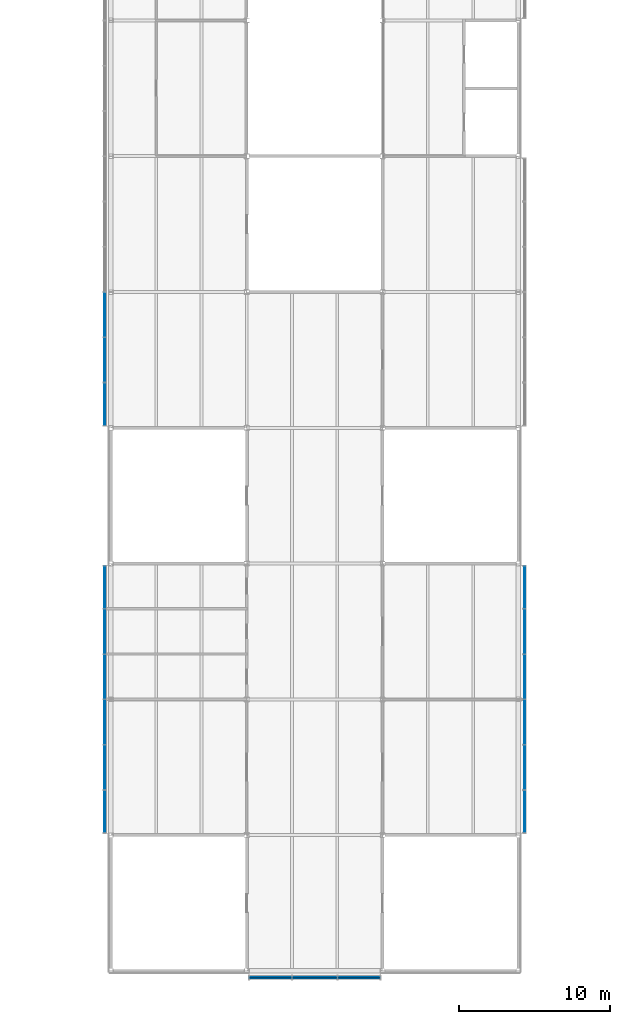
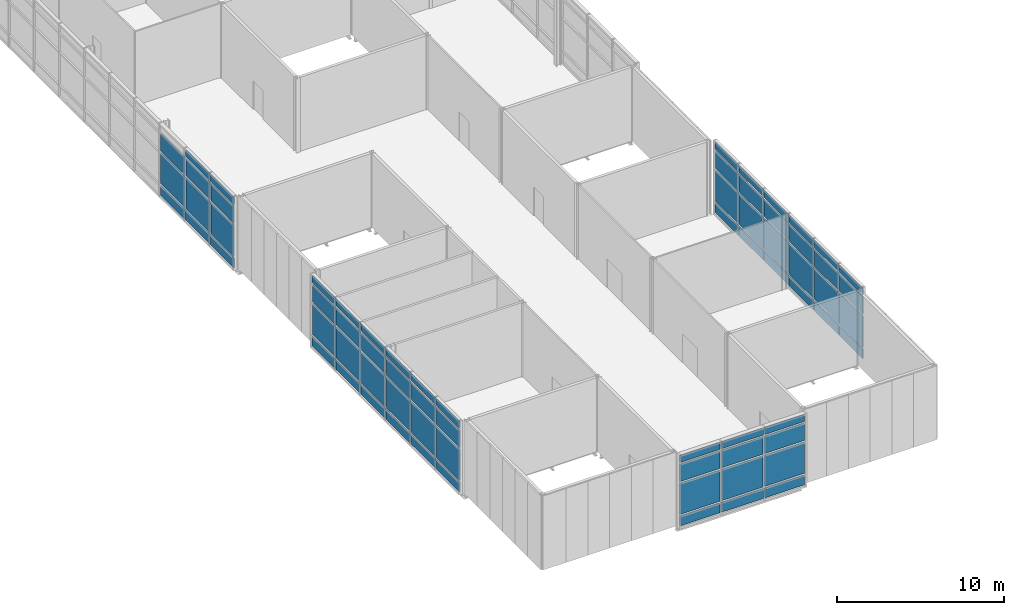
# One storey, part 29 of 46: 71 plates, 4 elements without a shape of their own.
"""IFC4 building model written with IfcOpenShell, lengths in metres."""

from ifc_helpers import new_model, si_unit, direction, frame, origin, origin_2d, place, context, subcontext, project, spatial, rectangle, extrude, material, layer, layer_set, type_object, element, aggregate, save


model = new_model("IFC4")

# Units and contexts
model_context = context("Model", 3, precision=1e-05, world=origin(), true_north=direction((0.0, 1.0)))
body_context = subcontext(model_context, "Body", "Model", "MODEL_VIEW")
ifc_project = project(units=[si_unit("LENGTHUNIT", "METRE"), si_unit("AREAUNIT", "SQUARE_METRE"), si_unit("VOLUMEUNIT", "CUBIC_METRE"), si_unit("PLANEANGLEUNIT", "RADIAN"), si_unit("MASSUNIT", "GRAM", prefix="KILO")], contexts=[model_context])

# Site, building, storey
site_placement = place(None, origin())
site = spatial("IfcSite", under=ifc_project, at=site_placement, CompositionType="ELEMENT")
building_placement = place(site_placement, origin())
building = spatial("IfcBuilding", under=site, at=building_placement, Name="Azimuth Sports and Learning Centre", CompositionType="ELEMENT")
storey_placement = place(building_placement, frame((0.0, 0.0, 21.60009765625)))
storey = spatial("IfcBuildingStorey", under=building, at=storey_placement, Name="L04", CompositionType="ELEMENT", Elevation=21.60009765625)

# Curtain wall, plates
ifc_material_1 = material(Name="Aluminium and glass", Category="aluminium")
curtain_wall_type_1 = type_object("IfcCurtainWallType", Name="Curtain wall podium stem 240", PredefinedType="NOTDEFINED", material=ifc_material_1)
curtain_wall_1_placement = place(storey_placement, origin())
curtain_wall_1 = element("IfcCurtainWall", 1, at=curtain_wall_1_placement, inside=storey, type_object=curtain_wall_type_1, Name="Curtain wall CW04-003", PredefinedType="NOTDEFINED")
ifc_material_2 = material(Name="Insulated aluminium panel", Category="aluminium")
ifc_layer_1 = layer(ifc_material_2, 0.06005859375)
ifc_layer_set_1 = layer_set([ifc_layer_1], Name="Insulated aluminium panel")
plate_type_1 = type_object("IfcPlateType", Name="Spandrel panel 60 mm", PredefinedType="CURTAIN_PANEL", material=ifc_layer_set_1)
plate_1_placement = place(storey_placement, frame((71.580078125, 43.5, 0.1201171875), z_axis=(0.0, 0.0, 1.0), x_axis=(0.0, -1.0, 0.0)))
plate_1 = element("IfcPlate", 2, at=plate_1_placement, type_object=plate_type_1, Name="CW04-003 panel 16.1", PredefinedType="CURTAIN_PANEL", context=body_context, shape_type="SweptSolid", body=[
    extrude(rectangle(XDim=2.919921875, YDim=0.06005859375, at=origin_2d()), origin(), (0.0, 0.0, 1.0), 0.719970703125),
])
plate_2_placement = place(storey_placement, frame((71.580078125, 40.5, 0.1201171875), z_axis=(0.0, 0.0, 1.0), x_axis=(0.0, -1.0, 0.0)))
plate_2 = element("IfcPlate", 3, at=plate_2_placement, type_object=plate_type_1, Name="CW04-003 panel 17.1", PredefinedType="CURTAIN_PANEL", context=body_context, shape_type="SweptSolid", body=[
    extrude(rectangle(XDim=2.919921875, YDim=0.06005859375, at=origin_2d()), origin(), (0.0, 0.0, 1.0), 0.719970703125),
])
plate_3_placement = place(storey_placement, frame((71.580078125, 40.5, 4.760009765625), z_axis=(0.0, 0.0, 1.0), x_axis=(0.0, -1.0, 0.0)))
plate_3 = element("IfcPlate", 4, at=plate_3_placement, type_object=plate_type_1, Name="CW04-003 panel 17.4", PredefinedType="CURTAIN_PANEL", context=body_context, shape_type="SweptSolid", body=[
    extrude(rectangle(XDim=2.919921875, YDim=0.06005859375, at=origin_2d()), origin(), (0.0, 0.0, 1.0), 0.52001953125),
])
plate_4_placement = place(storey_placement, frame((71.580078125, 37.570068359375, 0.1201171875), z_axis=(0.0, 0.0, 1.0), x_axis=(0.0, -1.0, 0.0)))
plate_4 = element("IfcPlate", 5, at=plate_4_placement, type_object=plate_type_1, Name="CW04-003 panel 18.1", PredefinedType="CURTAIN_PANEL", context=body_context, shape_type="SweptSolid", body=[
    extrude(rectangle(XDim=2.780029296875, YDim=0.06005859375, at=origin_2d()), origin(), (0.0, 0.0, 1.0), 0.719970703125),
])
plate_5_placement = place(storey_placement, frame((71.580078125, 37.570068359375, 4.760009765625), z_axis=(0.0, 0.0, 1.0), x_axis=(0.0, -1.0, 0.0)))
plate_5 = element("IfcPlate", 6, at=plate_5_placement, type_object=plate_type_1, Name="CW04-003 panel 18.4", PredefinedType="CURTAIN_PANEL", context=body_context, shape_type="SweptSolid", body=[
    extrude(rectangle(XDim=2.780029296875, YDim=0.06005859375, at=origin_2d()), origin(), (0.0, 0.0, 1.0), 0.52001953125),
])

curtain_wall_2_placement = place(storey_placement, origin())
curtain_wall_2 = element("IfcCurtainWall", 7, at=curtain_wall_2_placement, inside=storey, type_object=curtain_wall_type_1, Name="Curtain wall CW04-004", PredefinedType="NOTDEFINED")
plate_6_placement = place(storey_placement, frame((71.580078125, 25.429931640625, 0.1201171875), z_axis=(0.0, 0.0, 1.0), x_axis=(0.0, -1.0, 0.0)))
plate_6 = element("IfcPlate", 8, at=plate_6_placement, type_object=plate_type_1, Name="CW04-004 panel 1.1", PredefinedType="CURTAIN_PANEL", context=body_context, shape_type="SweptSolid", body=[
    extrude(rectangle(XDim=2.780029296875, YDim=0.06005859375, at=origin_2d()), origin(), (0.0, 0.0, 1.0), 0.719970703125),
])
plate_7_placement = place(storey_placement, frame((71.580078125, 25.429931640625, 4.760009765625), z_axis=(0.0, 0.0, 1.0), x_axis=(0.0, -1.0, 0.0)))
plate_7 = element("IfcPlate", 9, at=plate_7_placement, type_object=plate_type_1, Name="CW04-004 panel 1.4", PredefinedType="CURTAIN_PANEL", context=body_context, shape_type="SweptSolid", body=[
    extrude(rectangle(XDim=2.780029296875, YDim=0.06005859375, at=origin_2d()), origin(), (0.0, 0.0, 1.0), 0.52001953125),
])
plate_8_placement = place(storey_placement, frame((71.580078125, 22.5, 0.1201171875), z_axis=(0.0, 0.0, 1.0), x_axis=(0.0, -1.0, 0.0)))
plate_8 = element("IfcPlate", 10, at=plate_8_placement, type_object=plate_type_1, Name="CW04-004 panel 2.1", PredefinedType="CURTAIN_PANEL", context=body_context, shape_type="SweptSolid", body=[
    extrude(rectangle(XDim=2.919921875, YDim=0.06005859375, at=origin_2d()), origin(), (0.0, 0.0, 1.0), 0.719970703125),
])
plate_9_placement = place(storey_placement, frame((71.580078125, 22.5, 4.760009765625), z_axis=(0.0, 0.0, 1.0), x_axis=(0.0, -1.0, 0.0)))
plate_9 = element("IfcPlate", 11, at=plate_9_placement, type_object=plate_type_1, Name="CW04-004 panel 2.4", PredefinedType="CURTAIN_PANEL", context=body_context, shape_type="SweptSolid", body=[
    extrude(rectangle(XDim=2.919921875, YDim=0.06005859375, at=origin_2d()), origin(), (0.0, 0.0, 1.0), 0.52001953125),
])
plate_10_placement = place(storey_placement, frame((71.580078125, 19.5, 0.1201171875), z_axis=(0.0, 0.0, 1.0), x_axis=(0.0, -1.0, 0.0)))
plate_10 = element("IfcPlate", 12, at=plate_10_placement, type_object=plate_type_1, Name="CW04-004 panel 3.1", PredefinedType="CURTAIN_PANEL", context=body_context, shape_type="SweptSolid", body=[
    extrude(rectangle(XDim=2.919921875, YDim=0.06005859375, at=origin_2d()), origin(), (0.0, 0.0, 1.0), 0.719970703125),
])
plate_11_placement = place(storey_placement, frame((71.580078125, 19.5, 4.760009765625), z_axis=(0.0, 0.0, 1.0), x_axis=(0.0, -1.0, 0.0)))
plate_11 = element("IfcPlate", 13, at=plate_11_placement, type_object=plate_type_1, Name="CW04-004 panel 3.4", PredefinedType="CURTAIN_PANEL", context=body_context, shape_type="SweptSolid", body=[
    extrude(rectangle(XDim=2.919921875, YDim=0.06005859375, at=origin_2d()), origin(), (0.0, 0.0, 1.0), 0.52001953125),
])
plate_12_placement = place(storey_placement, frame((71.580078125, 16.5, 0.1201171875), z_axis=(0.0, 0.0, 1.0), x_axis=(0.0, -1.0, 0.0)))
plate_12 = element("IfcPlate", 14, at=plate_12_placement, type_object=plate_type_1, Name="CW04-004 panel 4.1", PredefinedType="CURTAIN_PANEL", context=body_context, shape_type="SweptSolid", body=[
    extrude(rectangle(XDim=2.919921875, YDim=0.06005859375, at=origin_2d()), origin(), (0.0, 0.0, 1.0), 0.719970703125),
])
plate_13_placement = place(storey_placement, frame((71.580078125, 16.5, 4.760009765625), z_axis=(0.0, 0.0, 1.0), x_axis=(0.0, -1.0, 0.0)))
plate_13 = element("IfcPlate", 15, at=plate_13_placement, type_object=plate_type_1, Name="CW04-004 panel 4.4", PredefinedType="CURTAIN_PANEL", context=body_context, shape_type="SweptSolid", body=[
    extrude(rectangle(XDim=2.919921875, YDim=0.06005859375, at=origin_2d()), origin(), (0.0, 0.0, 1.0), 0.52001953125),
])
plate_14_placement = place(storey_placement, frame((71.580078125, 13.5, 0.1201171875), z_axis=(0.0, 0.0, 1.0), x_axis=(0.0, -1.0, 0.0)))
plate_14 = element("IfcPlate", 16, at=plate_14_placement, type_object=plate_type_1, Name="CW04-004 panel 5.1", PredefinedType="CURTAIN_PANEL", context=body_context, shape_type="SweptSolid", body=[
    extrude(rectangle(XDim=2.919921875, YDim=0.06005859375, at=origin_2d()), origin(), (0.0, 0.0, 1.0), 0.719970703125),
])
plate_15_placement = place(storey_placement, frame((71.580078125, 13.5, 4.760009765625), z_axis=(0.0, 0.0, 1.0), x_axis=(0.0, -1.0, 0.0)))
plate_15 = element("IfcPlate", 17, at=plate_15_placement, type_object=plate_type_1, Name="CW04-004 panel 5.4", PredefinedType="CURTAIN_PANEL", context=body_context, shape_type="SweptSolid", body=[
    extrude(rectangle(XDim=2.919921875, YDim=0.06005859375, at=origin_2d()), origin(), (0.0, 0.0, 1.0), 0.52001953125),
])
plate_16_placement = place(storey_placement, frame((71.580078125, 10.570068359375, 0.1201171875), z_axis=(0.0, 0.0, 1.0), x_axis=(0.0, -1.0, 0.0)))
plate_16 = element("IfcPlate", 18, at=plate_16_placement, type_object=plate_type_1, Name="CW04-004 panel 6.1", PredefinedType="CURTAIN_PANEL", context=body_context, shape_type="SweptSolid", body=[
    extrude(rectangle(XDim=2.780029296875, YDim=0.06005859375, at=origin_2d()), origin(), (0.0, 0.0, 1.0), 0.719970703125),
])
plate_17_placement = place(storey_placement, frame((71.580078125, 10.570068359375, 4.760009765625), z_axis=(0.0, 0.0, 1.0), x_axis=(0.0, -1.0, 0.0)))
plate_17 = element("IfcPlate", 19, at=plate_17_placement, type_object=plate_type_1, Name="CW04-004 panel 6.4", PredefinedType="CURTAIN_PANEL", context=body_context, shape_type="SweptSolid", body=[
    extrude(rectangle(XDim=2.780029296875, YDim=0.06005859375, at=origin_2d()), origin(), (0.0, 0.0, 1.0), 0.52001953125),
])

curtain_wall_3_placement = place(storey_placement, origin())
curtain_wall_3 = element("IfcCurtainWall", 20, at=curtain_wall_3_placement, inside=storey, type_object=curtain_wall_type_1, Name="Curtain wall CW04-006", PredefinedType="NOTDEFINED")
plate_18_placement = place(storey_placement, frame((99.419921875, 10.570068359375, 0.1201171875), z_axis=(0.0, 0.0, 1.0), x_axis=(0.0, 1.0, 0.0)))
plate_18 = element("IfcPlate", 21, at=plate_18_placement, type_object=plate_type_1, Name="CW04-006 panel 1.1", PredefinedType="CURTAIN_PANEL", context=body_context, shape_type="SweptSolid", body=[
    extrude(rectangle(XDim=2.780029296875, YDim=0.06005859375, at=origin_2d()), origin(), (0.0, 0.0, 1.0), 0.719970703125),
])
plate_19_placement = place(storey_placement, frame((99.419921875, 10.570068359375, 4.760009765625), z_axis=(0.0, 0.0, 1.0), x_axis=(0.0, 1.0, 0.0)))
plate_19 = element("IfcPlate", 22, at=plate_19_placement, type_object=plate_type_1, Name="CW04-006 panel 1.4", PredefinedType="CURTAIN_PANEL", context=body_context, shape_type="SweptSolid", body=[
    extrude(rectangle(XDim=2.780029296875, YDim=0.06005859375, at=origin_2d()), origin(), (0.0, 0.0, 1.0), 0.52001953125),
])
plate_20_placement = place(storey_placement, frame((99.419921875, 13.5, 0.1201171875), z_axis=(0.0, 0.0, 1.0), x_axis=(0.0, 1.0, 0.0)))
plate_20 = element("IfcPlate", 23, at=plate_20_placement, type_object=plate_type_1, Name="CW04-006 panel 2.1", PredefinedType="CURTAIN_PANEL", context=body_context, shape_type="SweptSolid", body=[
    extrude(rectangle(XDim=2.919921875, YDim=0.06005859375, at=origin_2d()), origin(), (0.0, 0.0, 1.0), 0.719970703125),
])
plate_21_placement = place(storey_placement, frame((99.419921875, 13.5, 4.760009765625), z_axis=(0.0, 0.0, 1.0), x_axis=(0.0, 1.0, 0.0)))
plate_21 = element("IfcPlate", 24, at=plate_21_placement, type_object=plate_type_1, Name="CW04-006 panel 2.4", PredefinedType="CURTAIN_PANEL", context=body_context, shape_type="SweptSolid", body=[
    extrude(rectangle(XDim=2.919921875, YDim=0.06005859375, at=origin_2d()), origin(), (0.0, 0.0, 1.0), 0.52001953125),
])
plate_22_placement = place(storey_placement, frame((99.419921875, 16.5, 0.1201171875), z_axis=(0.0, 0.0, 1.0), x_axis=(0.0, 1.0, 0.0)))
plate_22 = element("IfcPlate", 25, at=plate_22_placement, type_object=plate_type_1, Name="CW04-006 panel 3.1", PredefinedType="CURTAIN_PANEL", context=body_context, shape_type="SweptSolid", body=[
    extrude(rectangle(XDim=2.919921875, YDim=0.06005859375, at=origin_2d()), origin(), (0.0, 0.0, 1.0), 0.719970703125),
])
plate_23_placement = place(storey_placement, frame((99.419921875, 16.5, 4.760009765625), z_axis=(0.0, 0.0, 1.0), x_axis=(0.0, 1.0, 0.0)))
plate_23 = element("IfcPlate", 26, at=plate_23_placement, type_object=plate_type_1, Name="CW04-006 panel 3.4", PredefinedType="CURTAIN_PANEL", context=body_context, shape_type="SweptSolid", body=[
    extrude(rectangle(XDim=2.919921875, YDim=0.06005859375, at=origin_2d()), origin(), (0.0, 0.0, 1.0), 0.52001953125),
])
plate_24_placement = place(storey_placement, frame((99.419921875, 19.5, 0.1201171875), z_axis=(0.0, 0.0, 1.0), x_axis=(0.0, 1.0, 0.0)))
plate_24 = element("IfcPlate", 27, at=plate_24_placement, type_object=plate_type_1, Name="CW04-006 panel 4.1", PredefinedType="CURTAIN_PANEL", context=body_context, shape_type="SweptSolid", body=[
    extrude(rectangle(XDim=2.919921875, YDim=0.06005859375, at=origin_2d()), origin(), (0.0, 0.0, 1.0), 0.719970703125),
])
plate_25_placement = place(storey_placement, frame((99.419921875, 19.5, 4.760009765625), z_axis=(0.0, 0.0, 1.0), x_axis=(0.0, 1.0, 0.0)))
plate_25 = element("IfcPlate", 28, at=plate_25_placement, type_object=plate_type_1, Name="CW04-006 panel 4.4", PredefinedType="CURTAIN_PANEL", context=body_context, shape_type="SweptSolid", body=[
    extrude(rectangle(XDim=2.919921875, YDim=0.06005859375, at=origin_2d()), origin(), (0.0, 0.0, 1.0), 0.52001953125),
])
plate_26_placement = place(storey_placement, frame((99.419921875, 22.5, 0.1201171875), z_axis=(0.0, 0.0, 1.0), x_axis=(0.0, 1.0, 0.0)))
plate_26 = element("IfcPlate", 29, at=plate_26_placement, type_object=plate_type_1, Name="CW04-006 panel 5.1", PredefinedType="CURTAIN_PANEL", context=body_context, shape_type="SweptSolid", body=[
    extrude(rectangle(XDim=2.919921875, YDim=0.06005859375, at=origin_2d()), origin(), (0.0, 0.0, 1.0), 0.719970703125),
])
plate_27_placement = place(storey_placement, frame((99.419921875, 22.5, 4.760009765625), z_axis=(0.0, 0.0, 1.0), x_axis=(0.0, 1.0, 0.0)))
plate_27 = element("IfcPlate", 30, at=plate_27_placement, type_object=plate_type_1, Name="CW04-006 panel 5.4", PredefinedType="CURTAIN_PANEL", context=body_context, shape_type="SweptSolid", body=[
    extrude(rectangle(XDim=2.919921875, YDim=0.06005859375, at=origin_2d()), origin(), (0.0, 0.0, 1.0), 0.52001953125),
])
plate_28_placement = place(storey_placement, frame((99.419921875, 25.429931640625, 0.1201171875), z_axis=(0.0, 0.0, 1.0), x_axis=(0.0, 1.0, 0.0)))
plate_28 = element("IfcPlate", 31, at=plate_28_placement, type_object=plate_type_1, Name="CW04-006 panel 6.1", PredefinedType="CURTAIN_PANEL", context=body_context, shape_type="SweptSolid", body=[
    extrude(rectangle(XDim=2.780029296875, YDim=0.06005859375, at=origin_2d()), origin(), (0.0, 0.0, 1.0), 0.719970703125),
])
plate_29_placement = place(storey_placement, frame((99.419921875, 25.429931640625, 4.760009765625), z_axis=(0.0, 0.0, 1.0), x_axis=(0.0, 1.0, 0.0)))
plate_29 = element("IfcPlate", 32, at=plate_29_placement, type_object=plate_type_1, Name="CW04-006 panel 6.4", PredefinedType="CURTAIN_PANEL", context=body_context, shape_type="SweptSolid", body=[
    extrude(rectangle(XDim=2.780029296875, YDim=0.06005859375, at=origin_2d()), origin(), (0.0, 0.0, 1.0), 0.52001953125),
])

ifc_material_3 = material(Name="Aluminium and glass", Category="aluminium")
curtain_wall_type_2 = type_object("IfcCurtainWallType", Name="Curtain wall podium front 300", PredefinedType="NOTDEFINED", material=ifc_material_3)
curtain_wall_4_placement = place(storey_placement, origin())
curtain_wall_4 = element("IfcCurtainWall", 33, at=curtain_wall_4_placement, inside=storey, type_object=curtain_wall_type_2, Name="Curtain wall CW04-005", PredefinedType="NOTDEFINED")
ifc_material_4 = material(Name="Insulated aluminium panel", Category="aluminium")
ifc_layer_2 = layer(ifc_material_4, 0.080078125)
ifc_layer_set_2 = layer_set([ifc_layer_2], Name="Insulated aluminium panel")
plate_type_2 = type_object("IfcPlateType", Name="Spandrel panel 80 mm", PredefinedType="CURTAIN_PANEL", material=ifc_layer_set_2)
plate_30_placement = place(storey_placement, frame((82.574951171875, -0.449951171875, 0.139892578125), z_axis=(0.0, 0.0, 1.0), x_axis=(1.0, 0.0, 0.0)))
plate_30 = element("IfcPlate", 34, at=plate_30_placement, type_object=plate_type_2, Name="CW04-005 panel 1.1", PredefinedType="CURTAIN_PANEL", context=body_context, shape_type="SweptSolid", body=[
    extrude(rectangle(XDim=2.75, YDim=0.080078125, at=origin_2d()), origin(), (0.0, 0.0, 1.0), 0.68994140625),
])
plate_31_placement = place(storey_placement, frame((82.574951171875, -0.449951171875, 4.77001953125), z_axis=(0.0, 0.0, 1.0), x_axis=(1.0, 0.0, 0.0)))
plate_31 = element("IfcPlate", 35, at=plate_31_placement, type_object=plate_type_2, Name="CW04-005 panel 1.4", PredefinedType="CURTAIN_PANEL", context=body_context, shape_type="SweptSolid", body=[
    extrude(rectangle(XDim=2.75, YDim=0.080078125, at=origin_2d()), origin(), (0.0, 0.0, 1.0), 0.489990234375),
])
plate_32_placement = place(storey_placement, frame((85.5, -0.449951171875, 0.139892578125), z_axis=(0.0, 0.0, 1.0), x_axis=(1.0, 0.0, 0.0)))
plate_32 = element("IfcPlate", 36, at=plate_32_placement, type_object=plate_type_2, Name="CW04-005 panel 2.1", PredefinedType="CURTAIN_PANEL", context=body_context, shape_type="SweptSolid", body=[
    extrude(rectangle(XDim=2.89990234375, YDim=0.080078125, at=origin_2d()), origin(), (0.0, 0.0, 1.0), 0.68994140625),
])
plate_33_placement = place(storey_placement, frame((85.5, -0.449951171875, 4.77001953125), z_axis=(0.0, 0.0, 1.0), x_axis=(1.0, 0.0, 0.0)))
plate_33 = element("IfcPlate", 37, at=plate_33_placement, type_object=plate_type_2, Name="CW04-005 panel 2.4", PredefinedType="CURTAIN_PANEL", context=body_context, shape_type="SweptSolid", body=[
    extrude(rectangle(XDim=2.89990234375, YDim=0.080078125, at=origin_2d()), origin(), (0.0, 0.0, 1.0), 0.489990234375),
])
plate_34_placement = place(storey_placement, frame((88.425048828125, -0.449951171875, 0.139892578125), z_axis=(0.0, 0.0, 1.0), x_axis=(1.0, 0.0, 0.0)))
plate_34 = element("IfcPlate", 38, at=plate_34_placement, type_object=plate_type_2, Name="CW04-005 panel 3.1", PredefinedType="CURTAIN_PANEL", context=body_context, shape_type="SweptSolid", body=[
    extrude(rectangle(XDim=2.75, YDim=0.080078125, at=origin_2d()), origin(), (0.0, 0.0, 1.0), 0.68994140625),
])
plate_35_placement = place(storey_placement, frame((88.425048828125, -0.449951171875, 4.77001953125), z_axis=(0.0, 0.0, 1.0), x_axis=(1.0, 0.0, 0.0)))
plate_35 = element("IfcPlate", 39, at=plate_35_placement, type_object=plate_type_2, Name="CW04-005 panel 3.4", PredefinedType="CURTAIN_PANEL", context=body_context, shape_type="SweptSolid", body=[
    extrude(rectangle(XDim=2.75, YDim=0.080078125, at=origin_2d()), origin(), (0.0, 0.0, 1.0), 0.489990234375),
])

# Plate
ifc_material_5 = material(Name="Glass", Category="glass")
ifc_layer_3 = layer(ifc_material_5, 0.0439453125)
ifc_layer_set_3 = layer_set([ifc_layer_3], Name="Glass")
plate_type_3 = type_object("IfcPlateType", Name="Vision glass 44 mm", PredefinedType="CURTAIN_PANEL", material=ifc_layer_set_3)
plate_36_placement = place(storey_placement, frame((71.580078125, 43.5, 0.9599609375), z_axis=(0.0, 0.0, 1.0), x_axis=(0.0, -1.0, 0.0)))
plate_36 = element("IfcPlate", 40, at=plate_36_placement, type_object=plate_type_3, Name="CW04-003 panel 16.2", PredefinedType="CURTAIN_PANEL", context=body_context, shape_type="SweptSolid", body=[
    extrude(rectangle(XDim=2.919921875, YDim=0.0439453125, at=origin_2d()), origin(), (0.0, 0.0, 1.0), 2.280029296875),
])

plate_37_placement = place(storey_placement, frame((71.580078125, 43.5, 3.35986328125), z_axis=(0.0, 0.0, 1.0), x_axis=(0.0, -1.0, 0.0)))
plate_37 = element("IfcPlate", 41, at=plate_37_placement, type_object=plate_type_3, Name="CW04-003 panel 16.3", PredefinedType="CURTAIN_PANEL", context=body_context, shape_type="SweptSolid", body=[
    extrude(rectangle(XDim=2.919921875, YDim=0.0439453125, at=origin_2d()), origin(), (0.0, 0.0, 1.0), 1.280029296875),
])

plate_38_placement = place(storey_placement, frame((71.580078125, 40.5, 0.9599609375), z_axis=(0.0, 0.0, 1.0), x_axis=(0.0, -1.0, 0.0)))
plate_38 = element("IfcPlate", 42, at=plate_38_placement, type_object=plate_type_3, Name="CW04-003 panel 17.2", PredefinedType="CURTAIN_PANEL", context=body_context, shape_type="SweptSolid", body=[
    extrude(rectangle(XDim=2.919921875, YDim=0.0439453125, at=origin_2d()), origin(), (0.0, 0.0, 1.0), 2.280029296875),
])

plate_39_placement = place(storey_placement, frame((71.580078125, 40.5, 3.35986328125), z_axis=(0.0, 0.0, 1.0), x_axis=(0.0, -1.0, 0.0)))
plate_39 = element("IfcPlate", 43, at=plate_39_placement, type_object=plate_type_3, Name="CW04-003 panel 17.3", PredefinedType="CURTAIN_PANEL", context=body_context, shape_type="SweptSolid", body=[
    extrude(rectangle(XDim=2.919921875, YDim=0.0439453125, at=origin_2d()), origin(), (0.0, 0.0, 1.0), 1.280029296875),
])

plate_40_placement = place(storey_placement, frame((71.580078125, 37.570068359375, 0.9599609375), z_axis=(0.0, 0.0, 1.0), x_axis=(0.0, -1.0, 0.0)))
plate_40 = element("IfcPlate", 44, at=plate_40_placement, type_object=plate_type_3, Name="CW04-003 panel 18.2", PredefinedType="CURTAIN_PANEL", context=body_context, shape_type="SweptSolid", body=[
    extrude(rectangle(XDim=2.780029296875, YDim=0.0439453125, at=origin_2d()), origin(), (0.0, 0.0, 1.0), 2.280029296875),
])

plate_41_placement = place(storey_placement, frame((71.580078125, 37.570068359375, 3.35986328125), z_axis=(0.0, 0.0, 1.0), x_axis=(0.0, -1.0, 0.0)))
plate_41 = element("IfcPlate", 45, at=plate_41_placement, type_object=plate_type_3, Name="CW04-003 panel 18.3", PredefinedType="CURTAIN_PANEL", context=body_context, shape_type="SweptSolid", body=[
    extrude(rectangle(XDim=2.780029296875, YDim=0.0439453125, at=origin_2d()), origin(), (0.0, 0.0, 1.0), 1.280029296875),
])

aggregate(curtain_wall_1, [plate_1, plate_36, plate_37, plate_2, plate_38, plate_39, plate_3, plate_4, plate_40, plate_41, plate_5])

plate_42_placement = place(storey_placement, frame((71.580078125, 25.429931640625, 0.9599609375), z_axis=(0.0, 0.0, 1.0), x_axis=(0.0, -1.0, 0.0)))
plate_42 = element("IfcPlate", 46, at=plate_42_placement, type_object=plate_type_3, Name="CW04-004 panel 1.2", PredefinedType="CURTAIN_PANEL", context=body_context, shape_type="SweptSolid", body=[
    extrude(rectangle(XDim=2.780029296875, YDim=0.0439453125, at=origin_2d()), origin(), (0.0, 0.0, 1.0), 2.280029296875),
])

plate_43_placement = place(storey_placement, frame((71.580078125, 25.429931640625, 3.35986328125), z_axis=(0.0, 0.0, 1.0), x_axis=(0.0, -1.0, 0.0)))
plate_43 = element("IfcPlate", 47, at=plate_43_placement, type_object=plate_type_3, Name="CW04-004 panel 1.3", PredefinedType="CURTAIN_PANEL", context=body_context, shape_type="SweptSolid", body=[
    extrude(rectangle(XDim=2.780029296875, YDim=0.0439453125, at=origin_2d()), origin(), (0.0, 0.0, 1.0), 1.280029296875),
])

plate_44_placement = place(storey_placement, frame((71.580078125, 22.5, 0.9599609375), z_axis=(0.0, 0.0, 1.0), x_axis=(0.0, -1.0, 0.0)))
plate_44 = element("IfcPlate", 48, at=plate_44_placement, type_object=plate_type_3, Name="CW04-004 panel 2.2", PredefinedType="CURTAIN_PANEL", context=body_context, shape_type="SweptSolid", body=[
    extrude(rectangle(XDim=2.919921875, YDim=0.0439453125, at=origin_2d()), origin(), (0.0, 0.0, 1.0), 2.280029296875),
])

plate_45_placement = place(storey_placement, frame((71.580078125, 22.5, 3.35986328125), z_axis=(0.0, 0.0, 1.0), x_axis=(0.0, -1.0, 0.0)))
plate_45 = element("IfcPlate", 49, at=plate_45_placement, type_object=plate_type_3, Name="CW04-004 panel 2.3", PredefinedType="CURTAIN_PANEL", context=body_context, shape_type="SweptSolid", body=[
    extrude(rectangle(XDim=2.919921875, YDim=0.0439453125, at=origin_2d()), origin(), (0.0, 0.0, 1.0), 1.280029296875),
])

plate_46_placement = place(storey_placement, frame((71.580078125, 19.5, 0.9599609375), z_axis=(0.0, 0.0, 1.0), x_axis=(0.0, -1.0, 0.0)))
plate_46 = element("IfcPlate", 50, at=plate_46_placement, type_object=plate_type_3, Name="CW04-004 panel 3.2", PredefinedType="CURTAIN_PANEL", context=body_context, shape_type="SweptSolid", body=[
    extrude(rectangle(XDim=2.919921875, YDim=0.0439453125, at=origin_2d()), origin(), (0.0, 0.0, 1.0), 2.280029296875),
])

plate_47_placement = place(storey_placement, frame((71.580078125, 19.5, 3.35986328125), z_axis=(0.0, 0.0, 1.0), x_axis=(0.0, -1.0, 0.0)))
plate_47 = element("IfcPlate", 51, at=plate_47_placement, type_object=plate_type_3, Name="CW04-004 panel 3.3", PredefinedType="CURTAIN_PANEL", context=body_context, shape_type="SweptSolid", body=[
    extrude(rectangle(XDim=2.919921875, YDim=0.0439453125, at=origin_2d()), origin(), (0.0, 0.0, 1.0), 1.280029296875),
])

plate_48_placement = place(storey_placement, frame((71.580078125, 16.5, 0.9599609375), z_axis=(0.0, 0.0, 1.0), x_axis=(0.0, -1.0, 0.0)))
plate_48 = element("IfcPlate", 52, at=plate_48_placement, type_object=plate_type_3, Name="CW04-004 panel 4.2", PredefinedType="CURTAIN_PANEL", context=body_context, shape_type="SweptSolid", body=[
    extrude(rectangle(XDim=2.919921875, YDim=0.0439453125, at=origin_2d()), origin(), (0.0, 0.0, 1.0), 2.280029296875),
])

plate_49_placement = place(storey_placement, frame((71.580078125, 16.5, 3.35986328125), z_axis=(0.0, 0.0, 1.0), x_axis=(0.0, -1.0, 0.0)))
plate_49 = element("IfcPlate", 53, at=plate_49_placement, type_object=plate_type_3, Name="CW04-004 panel 4.3", PredefinedType="CURTAIN_PANEL", context=body_context, shape_type="SweptSolid", body=[
    extrude(rectangle(XDim=2.919921875, YDim=0.0439453125, at=origin_2d()), origin(), (0.0, 0.0, 1.0), 1.280029296875),
])

plate_50_placement = place(storey_placement, frame((71.580078125, 13.5, 0.9599609375), z_axis=(0.0, 0.0, 1.0), x_axis=(0.0, -1.0, 0.0)))
plate_50 = element("IfcPlate", 54, at=plate_50_placement, type_object=plate_type_3, Name="CW04-004 panel 5.2", PredefinedType="CURTAIN_PANEL", context=body_context, shape_type="SweptSolid", body=[
    extrude(rectangle(XDim=2.919921875, YDim=0.0439453125, at=origin_2d()), origin(), (0.0, 0.0, 1.0), 2.280029296875),
])

plate_51_placement = place(storey_placement, frame((71.580078125, 13.5, 3.35986328125), z_axis=(0.0, 0.0, 1.0), x_axis=(0.0, -1.0, 0.0)))
plate_51 = element("IfcPlate", 55, at=plate_51_placement, type_object=plate_type_3, Name="CW04-004 panel 5.3", PredefinedType="CURTAIN_PANEL", context=body_context, shape_type="SweptSolid", body=[
    extrude(rectangle(XDim=2.919921875, YDim=0.0439453125, at=origin_2d()), origin(), (0.0, 0.0, 1.0), 1.280029296875),
])

plate_52_placement = place(storey_placement, frame((71.580078125, 10.570068359375, 0.9599609375), z_axis=(0.0, 0.0, 1.0), x_axis=(0.0, -1.0, 0.0)))
plate_52 = element("IfcPlate", 56, at=plate_52_placement, type_object=plate_type_3, Name="CW04-004 panel 6.2", PredefinedType="CURTAIN_PANEL", context=body_context, shape_type="SweptSolid", body=[
    extrude(rectangle(XDim=2.780029296875, YDim=0.0439453125, at=origin_2d()), origin(), (0.0, 0.0, 1.0), 2.280029296875),
])

plate_53_placement = place(storey_placement, frame((71.580078125, 10.570068359375, 3.35986328125), z_axis=(0.0, 0.0, 1.0), x_axis=(0.0, -1.0, 0.0)))
plate_53 = element("IfcPlate", 57, at=plate_53_placement, type_object=plate_type_3, Name="CW04-004 panel 6.3", PredefinedType="CURTAIN_PANEL", context=body_context, shape_type="SweptSolid", body=[
    extrude(rectangle(XDim=2.780029296875, YDim=0.0439453125, at=origin_2d()), origin(), (0.0, 0.0, 1.0), 1.280029296875),
])

aggregate(curtain_wall_2, [plate_6, plate_42, plate_43, plate_7, plate_8, plate_44, plate_45, plate_9, plate_10, plate_46, plate_47, plate_11, plate_12, plate_48, plate_49, plate_13, plate_14, plate_50, plate_51, plate_15, plate_16, plate_52, plate_53, plate_17])

plate_54_placement = place(storey_placement, frame((99.419921875, 10.570068359375, 0.9599609375), z_axis=(0.0, 0.0, 1.0), x_axis=(0.0, 1.0, 0.0)))
plate_54 = element("IfcPlate", 58, at=plate_54_placement, type_object=plate_type_3, Name="CW04-006 panel 1.2", PredefinedType="CURTAIN_PANEL", context=body_context, shape_type="SweptSolid", body=[
    extrude(rectangle(XDim=2.780029296875, YDim=0.0439453125, at=origin_2d()), origin(), (0.0, 0.0, 1.0), 2.280029296875),
])

plate_55_placement = place(storey_placement, frame((99.419921875, 10.570068359375, 3.35986328125), z_axis=(0.0, 0.0, 1.0), x_axis=(0.0, 1.0, 0.0)))
plate_55 = element("IfcPlate", 59, at=plate_55_placement, type_object=plate_type_3, Name="CW04-006 panel 1.3", PredefinedType="CURTAIN_PANEL", context=body_context, shape_type="SweptSolid", body=[
    extrude(rectangle(XDim=2.780029296875, YDim=0.0439453125, at=origin_2d()), origin(), (0.0, 0.0, 1.0), 1.280029296875),
])

plate_56_placement = place(storey_placement, frame((99.419921875, 13.5, 0.9599609375), z_axis=(0.0, 0.0, 1.0), x_axis=(0.0, 1.0, 0.0)))
plate_56 = element("IfcPlate", 60, at=plate_56_placement, type_object=plate_type_3, Name="CW04-006 panel 2.2", PredefinedType="CURTAIN_PANEL", context=body_context, shape_type="SweptSolid", body=[
    extrude(rectangle(XDim=2.919921875, YDim=0.0439453125, at=origin_2d()), origin(), (0.0, 0.0, 1.0), 2.280029296875),
])

plate_57_placement = place(storey_placement, frame((99.419921875, 13.5, 3.35986328125), z_axis=(0.0, 0.0, 1.0), x_axis=(0.0, 1.0, 0.0)))
plate_57 = element("IfcPlate", 61, at=plate_57_placement, type_object=plate_type_3, Name="CW04-006 panel 2.3", PredefinedType="CURTAIN_PANEL", context=body_context, shape_type="SweptSolid", body=[
    extrude(rectangle(XDim=2.919921875, YDim=0.0439453125, at=origin_2d()), origin(), (0.0, 0.0, 1.0), 1.280029296875),
])

plate_58_placement = place(storey_placement, frame((99.419921875, 16.5, 0.9599609375), z_axis=(0.0, 0.0, 1.0), x_axis=(0.0, 1.0, 0.0)))
plate_58 = element("IfcPlate", 62, at=plate_58_placement, type_object=plate_type_3, Name="CW04-006 panel 3.2", PredefinedType="CURTAIN_PANEL", context=body_context, shape_type="SweptSolid", body=[
    extrude(rectangle(XDim=2.919921875, YDim=0.0439453125, at=origin_2d()), origin(), (0.0, 0.0, 1.0), 2.280029296875),
])

plate_59_placement = place(storey_placement, frame((99.419921875, 16.5, 3.35986328125), z_axis=(0.0, 0.0, 1.0), x_axis=(0.0, 1.0, 0.0)))
plate_59 = element("IfcPlate", 63, at=plate_59_placement, type_object=plate_type_3, Name="CW04-006 panel 3.3", PredefinedType="CURTAIN_PANEL", context=body_context, shape_type="SweptSolid", body=[
    extrude(rectangle(XDim=2.919921875, YDim=0.0439453125, at=origin_2d()), origin(), (0.0, 0.0, 1.0), 1.280029296875),
])

plate_60_placement = place(storey_placement, frame((99.419921875, 19.5, 0.9599609375), z_axis=(0.0, 0.0, 1.0), x_axis=(0.0, 1.0, 0.0)))
plate_60 = element("IfcPlate", 64, at=plate_60_placement, type_object=plate_type_3, Name="CW04-006 panel 4.2", PredefinedType="CURTAIN_PANEL", context=body_context, shape_type="SweptSolid", body=[
    extrude(rectangle(XDim=2.919921875, YDim=0.0439453125, at=origin_2d()), origin(), (0.0, 0.0, 1.0), 2.280029296875),
])

plate_61_placement = place(storey_placement, frame((99.419921875, 19.5, 3.35986328125), z_axis=(0.0, 0.0, 1.0), x_axis=(0.0, 1.0, 0.0)))
plate_61 = element("IfcPlate", 65, at=plate_61_placement, type_object=plate_type_3, Name="CW04-006 panel 4.3", PredefinedType="CURTAIN_PANEL", context=body_context, shape_type="SweptSolid", body=[
    extrude(rectangle(XDim=2.919921875, YDim=0.0439453125, at=origin_2d()), origin(), (0.0, 0.0, 1.0), 1.280029296875),
])

plate_62_placement = place(storey_placement, frame((99.419921875, 22.5, 0.9599609375), z_axis=(0.0, 0.0, 1.0), x_axis=(0.0, 1.0, 0.0)))
plate_62 = element("IfcPlate", 66, at=plate_62_placement, type_object=plate_type_3, Name="CW04-006 panel 5.2", PredefinedType="CURTAIN_PANEL", context=body_context, shape_type="SweptSolid", body=[
    extrude(rectangle(XDim=2.919921875, YDim=0.0439453125, at=origin_2d()), origin(), (0.0, 0.0, 1.0), 2.280029296875),
])

plate_63_placement = place(storey_placement, frame((99.419921875, 22.5, 3.35986328125), z_axis=(0.0, 0.0, 1.0), x_axis=(0.0, 1.0, 0.0)))
plate_63 = element("IfcPlate", 67, at=plate_63_placement, type_object=plate_type_3, Name="CW04-006 panel 5.3", PredefinedType="CURTAIN_PANEL", context=body_context, shape_type="SweptSolid", body=[
    extrude(rectangle(XDim=2.919921875, YDim=0.0439453125, at=origin_2d()), origin(), (0.0, 0.0, 1.0), 1.280029296875),
])

plate_64_placement = place(storey_placement, frame((99.419921875, 25.429931640625, 0.9599609375), z_axis=(0.0, 0.0, 1.0), x_axis=(0.0, 1.0, 0.0)))
plate_64 = element("IfcPlate", 68, at=plate_64_placement, type_object=plate_type_3, Name="CW04-006 panel 6.2", PredefinedType="CURTAIN_PANEL", context=body_context, shape_type="SweptSolid", body=[
    extrude(rectangle(XDim=2.780029296875, YDim=0.0439453125, at=origin_2d()), origin(), (0.0, 0.0, 1.0), 2.280029296875),
])

plate_65_placement = place(storey_placement, frame((99.419921875, 25.429931640625, 3.35986328125), z_axis=(0.0, 0.0, 1.0), x_axis=(0.0, 1.0, 0.0)))
plate_65 = element("IfcPlate", 69, at=plate_65_placement, type_object=plate_type_3, Name="CW04-006 panel 6.3", PredefinedType="CURTAIN_PANEL", context=body_context, shape_type="SweptSolid", body=[
    extrude(rectangle(XDim=2.780029296875, YDim=0.0439453125, at=origin_2d()), origin(), (0.0, 0.0, 1.0), 1.280029296875),
])

aggregate(curtain_wall_3, [plate_18, plate_54, plate_55, plate_19, plate_20, plate_56, plate_57, plate_21, plate_22, plate_58, plate_59, plate_23, plate_24, plate_60, plate_61, plate_25, plate_26, plate_62, plate_63, plate_27, plate_28, plate_64, plate_65, plate_29])

ifc_material_6 = material(Name="Glass", Category="glass")
ifc_layer_4 = layer(ifc_material_6, 0.054931640625)
ifc_layer_set_4 = layer_set([ifc_layer_4], Name="Glass")
plate_type_4 = type_object("IfcPlateType", Name="Vision glass 55 mm", PredefinedType="CURTAIN_PANEL", material=ifc_layer_set_4)
plate_66_placement = place(storey_placement, frame((82.574951171875, -0.449951171875, 0.9697265625), z_axis=(0.0, 0.0, 1.0), x_axis=(1.0, 0.0, 0.0)))
plate_66 = element("IfcPlate", 70, at=plate_66_placement, type_object=plate_type_4, Name="CW04-005 panel 1.2", PredefinedType="CURTAIN_PANEL", context=body_context, shape_type="SweptSolid", body=[
    extrude(rectangle(XDim=2.75, YDim=0.054931640625, at=origin_2d()), origin(), (0.0, 0.0, 1.0), 2.260009765625),
])

plate_67_placement = place(storey_placement, frame((82.574951171875, -0.449951171875, 3.3701171875), z_axis=(0.0, 0.0, 1.0), x_axis=(1.0, 0.0, 0.0)))
plate_67 = element("IfcPlate", 71, at=plate_67_placement, type_object=plate_type_4, Name="CW04-005 panel 1.3", PredefinedType="CURTAIN_PANEL", context=body_context, shape_type="SweptSolid", body=[
    extrude(rectangle(XDim=2.75, YDim=0.054931640625, at=origin_2d()), origin(), (0.0, 0.0, 1.0), 1.260009765625),
])

plate_68_placement = place(storey_placement, frame((85.5, -0.449951171875, 0.9697265625), z_axis=(0.0, 0.0, 1.0), x_axis=(1.0, 0.0, 0.0)))
plate_68 = element("IfcPlate", 72, at=plate_68_placement, type_object=plate_type_4, Name="CW04-005 panel 2.2", PredefinedType="CURTAIN_PANEL", context=body_context, shape_type="SweptSolid", body=[
    extrude(rectangle(XDim=2.89990234375, YDim=0.054931640625, at=origin_2d()), origin(), (0.0, 0.0, 1.0), 2.260009765625),
])

plate_69_placement = place(storey_placement, frame((85.5, -0.449951171875, 3.3701171875), z_axis=(0.0, 0.0, 1.0), x_axis=(1.0, 0.0, 0.0)))
plate_69 = element("IfcPlate", 73, at=plate_69_placement, type_object=plate_type_4, Name="CW04-005 panel 2.3", PredefinedType="CURTAIN_PANEL", context=body_context, shape_type="SweptSolid", body=[
    extrude(rectangle(XDim=2.89990234375, YDim=0.054931640625, at=origin_2d()), origin(), (0.0, 0.0, 1.0), 1.260009765625),
])

plate_70_placement = place(storey_placement, frame((88.425048828125, -0.449951171875, 0.9697265625), z_axis=(0.0, 0.0, 1.0), x_axis=(1.0, 0.0, 0.0)))
plate_70 = element("IfcPlate", 74, at=plate_70_placement, type_object=plate_type_4, Name="CW04-005 panel 3.2", PredefinedType="CURTAIN_PANEL", context=body_context, shape_type="SweptSolid", body=[
    extrude(rectangle(XDim=2.75, YDim=0.054931640625, at=origin_2d()), origin(), (0.0, 0.0, 1.0), 2.260009765625),
])

plate_71_placement = place(storey_placement, frame((88.425048828125, -0.449951171875, 3.3701171875), z_axis=(0.0, 0.0, 1.0), x_axis=(1.0, 0.0, 0.0)))
plate_71 = element("IfcPlate", 75, at=plate_71_placement, type_object=plate_type_4, Name="CW04-005 panel 3.3", PredefinedType="CURTAIN_PANEL", context=body_context, shape_type="SweptSolid", body=[
    extrude(rectangle(XDim=2.75, YDim=0.054931640625, at=origin_2d()), origin(), (0.0, 0.0, 1.0), 1.260009765625),
])

aggregate(curtain_wall_4, [plate_30, plate_66, plate_67, plate_31, plate_32, plate_68, plate_69, plate_33, plate_34, plate_70, plate_71, plate_35])

save(model, "model.ifc")
